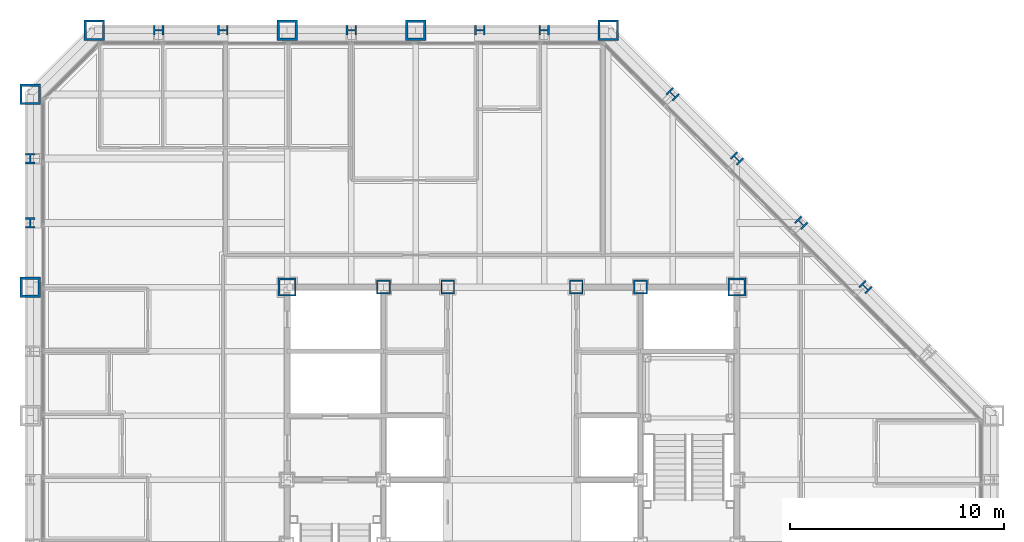
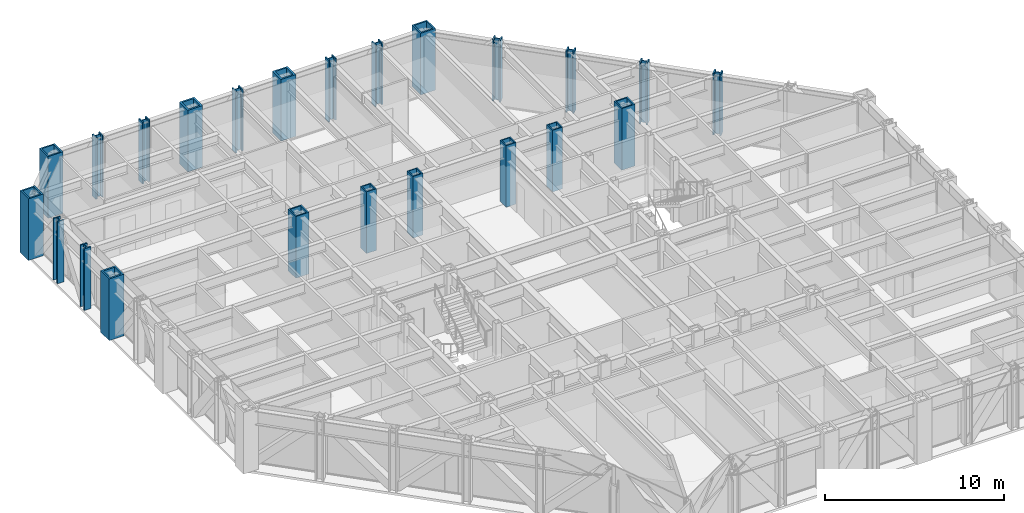
# One storey, part 3 of 16: 23 columns.
"""IFC4 building model written with IfcOpenShell, lengths in metres."""

from ifc_helpers import new_model, si_unit, direction, frame, origin, origin_2d, place, context, subcontext, project, spatial, hollow_rectangle, i_section, extrude, material, material_profile, profile_set, type_object, element, save


model = new_model("IFC4")

# Units and contexts
model_context = context("Model", 3, precision=1e-05, world=origin(), true_north=direction((0.0, 1.0)))
body_context = subcontext(model_context, "Body", "Model", "MODEL_VIEW")
ifc_project = project(units=[si_unit("LENGTHUNIT", "METRE"), si_unit("AREAUNIT", "SQUARE_METRE"), si_unit("VOLUMEUNIT", "CUBIC_METRE"), si_unit("PLANEANGLEUNIT", "RADIAN"), si_unit("MASSUNIT", "GRAM", prefix="KILO")], contexts=[model_context])

# Site, building, storey
site_placement = place(None, origin())
site = spatial("IfcSite", under=ifc_project, at=site_placement, CompositionType="ELEMENT")
building_placement = place(site_placement, origin())
building = spatial("IfcBuilding", under=site, at=building_placement, Name="Chuquiago Exchange Tower", CompositionType="ELEMENT")
storey_placement = place(building_placement, frame((0.0, 0.0, 148.800048828125)))
storey = spatial("IfcBuildingStorey", under=building, at=storey_placement, Name="L32", CompositionType="ELEMENT", Elevation=148.800048828125)

# Columns
ifc_material_1 = material(Name="Steel ASTM A992", Category="steel")
ifc_material_profile_1 = material_profile(ifc_material_1, i_section(OverallWidth=0.431884765625, OverallDepth=0.497802734375, WebThickness=0.0556640625, FlangeThickness=0.0888671875, at=origin_2d()), Name="W14X500")
ifc_profile_set_1 = profile_set([ifc_material_profile_1], Name="Steel ASTM A992")
column_type_1 = type_object("IfcColumnType", Name="C7 W14X500", PredefinedType="COLUMN", material=ifc_profile_set_1)
for number, where, z_axis, x_axis, name in (
    (1, (24.0, 45.0, 0.0), (0.0, 0.0, 1.0), (0.0, 1.0, 0.0), "COL-L32-24_45"),
    (2, (21.0, 45.0, 0.0), (0.0, 0.0, 1.0), (0.0, 1.0, 0.0), "COL-L32-21_45"),
    (3, (15.0, 45.0, 0.0), (0.0, 0.0, 1.0), (0.0, 1.0, 0.0), "COL-L32-15_45"),
    (4, (9.0, 45.0, 0.0), (0.0, 0.0, 1.0), (0.0, 1.0, 0.0), "COL-L32-9_45"),
    (5, (6.0, 45.0, 0.0), (0.0, 0.0, 1.0), (0.0, 1.0, 0.0), "COL-L32-6_45"),
    (6, (0.0, 39.0, 0.0), (0.0, 0.0, 1.0), (-1.0, 0.0, 0.0), "COL-L32-0_39"),
    (7, (0.0, 36.0, 0.0), (0.0, 0.0, 1.0), (-1.0, 0.0, 0.0), "COL-L32-0_36"),
):
    element("IfcColumn", number, at=place(storey_placement, frame(where, z_axis=z_axis, x_axis=x_axis)), inside=storey, type_object=column_type_1, Name=name, PredefinedType="COLUMN", context=body_context, shape_type="SweptSolid", body=[
        extrude(i_section(OverallWidth=0.431884765625, OverallDepth=0.497802734375, WebThickness=0.0556640625, FlangeThickness=0.0888671875, at=origin_2d()), origin(), (0.0, 0.0, 1.0), 4.199951171875),
    ])
ifc_material_2 = material(Name="Steel ASTM A572 Grade 50", Category="steel")
ifc_material_profile_2 = material_profile(ifc_material_2, hollow_rectangle(XDim=0.85009765625, YDim=0.85009765625, WallThickness=0.0849609375, at=origin_2d()), Name="BOX850X850X85")
ifc_profile_set_2 = profile_set([ifc_material_profile_2], Name="Steel ASTM A572 Grade 50")
column_type_2 = type_object("IfcColumnType", Name="CC6 BOX850X850X85", PredefinedType="COLUMN", material=ifc_profile_set_2)
for number, where, z_axis, x_axis, name in (
    (8, (12.0, 33.0, 0.0), (0.0, 0.0, 1.0), (1.0, 0.0, 0.0), "CCOL-L32-12_33"),
    (9, (33.0, 33.0, 0.0), (0.0, 0.0, 1.0), (1.0, 0.0, 0.0), "CCOL-L32-33_33"),
):
    element("IfcColumn", number, at=place(storey_placement, frame(where, z_axis=z_axis, x_axis=x_axis)), inside=storey, type_object=column_type_2, Name=name, PredefinedType="COLUMN", context=body_context, shape_type="SweptSolid", body=[
        extrude(hollow_rectangle(XDim=0.85009765625, YDim=0.85009765625, WallThickness=0.0849609375, at=origin_2d()), origin(), (0.0, 0.0, 1.0), 4.199951171875),
    ])
ifc_material_3 = material(Name="Steel ASTM A572 Grade 50", Category="steel")
ifc_material_profile_3 = material_profile(ifc_material_3, hollow_rectangle(XDim=0.64990234375, YDim=0.64990234375, WallThickness=0.06494140625, at=origin_2d()), Name="BOX650X650X65")
ifc_profile_set_3 = profile_set([ifc_material_profile_3], Name="Steel ASTM A572 Grade 50")
column_type_3 = type_object("IfcColumnType", Name="CC7 BOX650X650X65", PredefinedType="COLUMN", material=ifc_profile_set_3)
for number, where, z_axis, x_axis, name in (
    (10, (16.5, 33.0, 0.0), (0.0, 0.0, 1.0), (1.0, 0.0, 0.0), "CCOL-L32-16.5_33"),
    (11, (19.5, 33.0, 0.0), (0.0, 0.0, 1.0), (1.0, 0.0, 0.0), "CCOL-L32-19.5_33"),
    (12, (25.5, 33.0, 0.0), (0.0, 0.0, 1.0), (1.0, 0.0, 0.0), "CCOL-L32-25.5_33"),
    (13, (28.5, 33.0, 0.0), (0.0, 0.0, 1.0), (1.0, 0.0, 0.0), "CCOL-L32-28.5_33"),
):
    element("IfcColumn", number, at=place(storey_placement, frame(where, z_axis=z_axis, x_axis=x_axis)), inside=storey, type_object=column_type_3, Name=name, PredefinedType="COLUMN", context=body_context, shape_type="SweptSolid", body=[
        extrude(hollow_rectangle(XDim=0.64990234375, YDim=0.64990234375, WallThickness=0.06494140625, at=origin_2d()), origin(), (0.0, 0.0, 1.0), 4.199951171875),
    ])
ifc_material_4 = material(Name="Steel ASTM A992", Category="steel")
ifc_material_profile_4 = material_profile(ifc_material_4, i_section(OverallWidth=0.4267578125, OverallDepth=0.482666015625, WebThickness=0.05126953125, FlangeThickness=0.08154296875, at=origin_2d()), Name="W14X455")
ifc_profile_set_4 = profile_set([ifc_material_profile_4], Name="Steel ASTM A992")
column_type_4 = type_object("IfcColumnType", Name="CK6 W14X455", PredefinedType="COLUMN", material=ifc_profile_set_4)
for number, where, z_axis, x_axis, name in (
    (14, (39.0, 33.0, 0.0), (0.0, 0.0, 1.0), (0.707106781187, 0.707106781187, 0.0), "COL-L32-39_33"),
    (15, (36.0, 36.0, 0.0), (0.0, 0.0, 1.0), (0.707106781187, 0.707106781187, 0.0), "COL-L32-36_36"),
    (16, (33.0, 39.0, 0.0), (0.0, 0.0, 1.0), (0.707106781187, 0.707106781187, 0.0), "COL-L32-33_39"),
    (17, (30.0, 42.0, 0.0), (0.0, 0.0, 1.0), (0.707106781187, 0.707106781187, 0.0), "COL-L32-30_42"),
):
    element("IfcColumn", number, at=place(storey_placement, frame(where, z_axis=z_axis, x_axis=x_axis)), inside=storey, type_object=column_type_4, Name=name, PredefinedType="COLUMN", context=body_context, shape_type="SweptSolid", body=[
        extrude(i_section(OverallWidth=0.4267578125, OverallDepth=0.482666015625, WebThickness=0.05126953125, FlangeThickness=0.08154296875, at=origin_2d()), origin(), (0.0, 0.0, 1.0), 4.199951171875),
    ])
ifc_material_5 = material(Name="Steel ASTM A572 Grade 50", Category="steel")
ifc_material_profile_5 = material_profile(ifc_material_5, hollow_rectangle(XDim=0.949951171875, YDim=0.949951171875, WallThickness=0.094970703125, at=origin_2d()), Name="BOX950X950X95")
ifc_profile_set_5 = profile_set([ifc_material_profile_5], Name="Steel ASTM A572 Grade 50")
column_type_5 = type_object("IfcColumnType", Name="CN1 BOX950X950X95", PredefinedType="COLUMN", material=ifc_profile_set_5)
for number, where, z_axis, x_axis, name in (
    (18, (27.0, 45.0, 0.0), (0.0, 0.0, 1.0), (0.0, 1.0, 0.0), "COL-L32-27_45"),
    (19, (3.0, 45.0, 0.0), (0.0, 0.0, 1.0), (0.0, 1.0, 0.0), "COL-L32-3_45"),
    (20, (0.0, 42.0, 0.0), (0.0, 0.0, 1.0), (-1.0, 0.0, 0.0), "COL-L32-0_42"),
):
    element("IfcColumn", number, at=place(storey_placement, frame(where, z_axis=z_axis, x_axis=x_axis)), inside=storey, type_object=column_type_5, Name=name, PredefinedType="COLUMN", context=body_context, shape_type="SweptSolid", body=[
        extrude(hollow_rectangle(XDim=0.949951171875, YDim=0.949951171875, WallThickness=0.094970703125, at=origin_2d()), origin(), (0.0, 0.0, 1.0), 4.199951171875),
    ])
ifc_material_6 = material(Name="Steel ASTM A572 Grade 42", Category="steel")
ifc_material_profile_6 = material_profile(ifc_material_6, hollow_rectangle(XDim=0.949951171875, YDim=0.949951171875, WallThickness=0.110107421875, at=origin_2d()), Name="BOX950X950X110")
ifc_profile_set_6 = profile_set([ifc_material_profile_6], Name="Steel ASTM A572 Grade 42")
column_type_6 = type_object("IfcColumnType", Name="CT1 BOX950X950X110", PredefinedType="COLUMN", material=ifc_profile_set_6)
for number, where, z_axis, x_axis, name in (
    (21, (18.0, 45.0, 0.0), (0.0, 0.0, 1.0), (0.0, 1.0, 0.0), "COL-L32-18_45"),
    (22, (12.0, 45.0, 0.0), (0.0, 0.0, 1.0), (0.0, 1.0, 0.0), "COL-L32-12_45"),
    (23, (0.0, 33.0, 0.0), (0.0, 0.0, 1.0), (-1.0, 0.0, 0.0), "COL-L32-0_33"),
):
    element("IfcColumn", number, at=place(storey_placement, frame(where, z_axis=z_axis, x_axis=x_axis)), inside=storey, type_object=column_type_6, Name=name, PredefinedType="COLUMN", context=body_context, shape_type="SweptSolid", body=[
        extrude(hollow_rectangle(XDim=0.949951171875, YDim=0.949951171875, WallThickness=0.110107421875, at=origin_2d()), origin(), (0.0, 0.0, 1.0), 4.199951171875),
    ])

save(model, "model.ifc")
